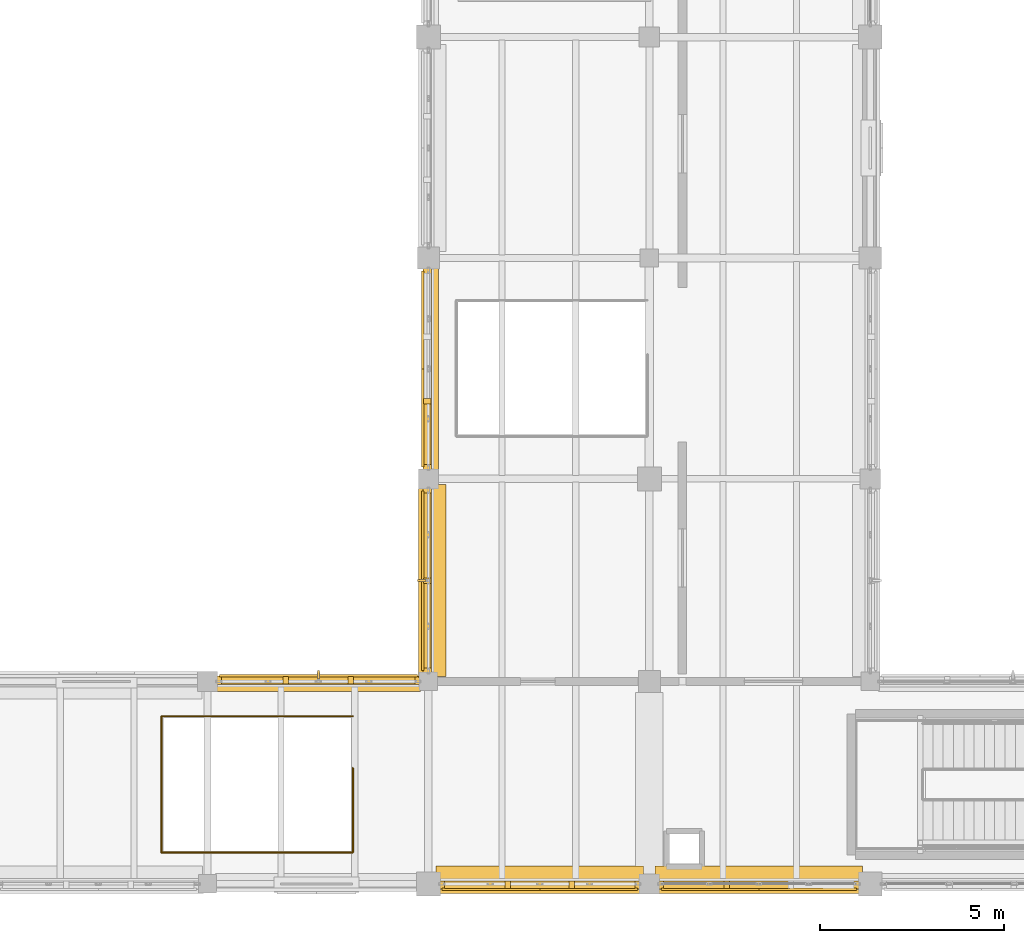
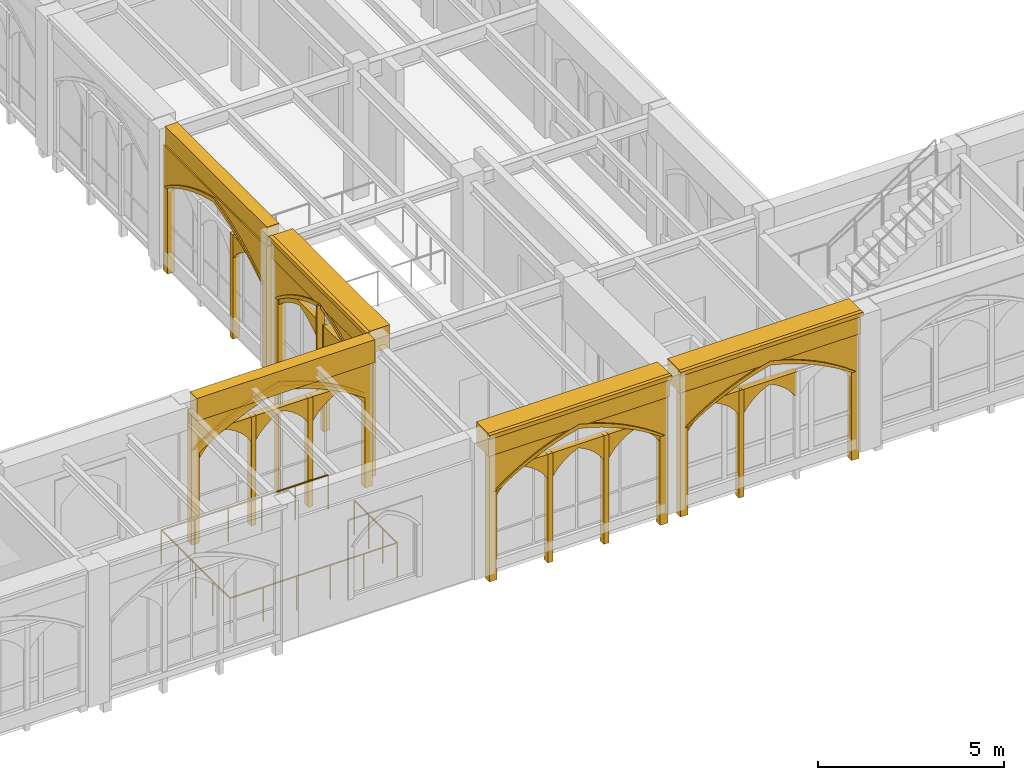
# One storey, part 94 of 127: 36 coverings, 2 shading devices, 1 railing.
"""IFC4 building model written with IfcOpenShell, lengths in metres."""

from ifc_helpers import new_model, si_unit, direction, frame, origin, origin_2d, place, context, subcontext, project, spatial, polyline, rectangle, circle, outline, extrude, material, type_object, element, save


model = new_model("IFC4")

# Units and contexts
model_context = context("Model", 3, precision=1e-05, world=origin(), true_north=direction((0.0, 1.0)))
body_context = subcontext(model_context, "Body", "Model", "MODEL_VIEW")
ifc_project = project(units=[si_unit("LENGTHUNIT", "METRE"), si_unit("AREAUNIT", "SQUARE_METRE"), si_unit("VOLUMEUNIT", "CUBIC_METRE"), si_unit("PLANEANGLEUNIT", "RADIAN"), si_unit("MASSUNIT", "GRAM", prefix="KILO")], contexts=[model_context])

# Site, building, storey
site_placement = place(None, origin())
site = spatial("IfcSite", under=ifc_project, at=site_placement, CompositionType="ELEMENT")
building_placement = place(site_placement, origin())
building = spatial("IfcBuilding", under=site, at=building_placement, Name="Cumevento Cable Car Station", CompositionType="ELEMENT")
storey_placement = place(building_placement, frame((0.0, 0.0, 4.5)))
storey = spatial("IfcBuildingStorey", under=building, at=storey_placement, Name="L02", CompositionType="ELEMENT", Elevation=4.5)

# Railing
ifc_material_1 = material(Name="Painted Galvanised Architectural Steel", Category="steel")
railing_type = type_object("IfcRailingType", Name="Stair Guardrail GR-S115", PredefinedType="GUARDRAIL", material=ifc_material_1)
railing_placement = place(storey_placement, frame((55.949951171875, 7.14990234375, 0.0)))
element("IfcRailing", 1, at=railing_placement, inside=storey, type_object=railing_type, Name="Stairwell Opening Rim Guard ST-07 L02", PredefinedType="GUARDRAIL", context=body_context, shape_type="SweptSolid", body=[
    extrude(circle(Radius=0.02392578125, at=origin_2d()), frame((0.0, 0.0, 1.1259765625), z_axis=(0.0, -1.0, 0.0), x_axis=(1.0, 0.0, 0.0)), (0.0, 0.0, 1.0), 2.2998046875),
    extrude(circle(Radius=0.02392578125, at=origin_2d()), frame((0.0, -2.2998046875, 1.1259765625), z_axis=(-1.0, 0.0, 0.0), x_axis=(0.0, -1.0, 0.0)), (0.0, 0.0, 1.0), 5.199951171875),
    extrude(circle(Radius=0.02392578125, at=origin_2d()), frame((-5.199951171875, -2.2998046875, 1.1259765625), z_axis=(0.0, 1.0, 0.0), x_axis=(-1.0, 0.0, 0.0)), (0.0, 0.0, 1.0), 3.699951171875),
    extrude(circle(Radius=0.02392578125, at=origin_2d()), frame((-5.199951171875, 1.400146484375, 1.1259765625), z_axis=(1.0, 0.0, 0.0), x_axis=(0.0, 1.0, 0.0)), (0.0, 0.0, 1.0), 5.199951171875),
    extrude(circle(Radius=0.02001953125, at=origin_2d()), origin(), (0.0, 0.0, 1.0), 1.101806640625),
    extrude(circle(Radius=0.02001953125, at=origin_2d()), frame((0.0, -0.7666015625, 0.0)), (0.0, 0.0, 1.0), 1.101806640625),
    extrude(circle(Radius=0.02001953125, at=origin_2d()), frame((0.0, -1.533203125, 0.0)), (0.0, 0.0, 1.0), 1.101806640625),
    extrude(circle(Radius=0.02001953125, at=origin_2d()), frame((0.0, -2.2998046875, 0.0)), (0.0, 0.0, 1.0), 1.101806640625),
    extrude(circle(Radius=0.02001953125, at=origin_2d()), frame((-1.0400390625, -2.2998046875, 0.0)), (0.0, 0.0, 1.0), 1.101806640625),
    extrude(circle(Radius=0.02001953125, at=origin_2d()), frame((-2.080078125, -2.2998046875, 0.0)), (0.0, 0.0, 1.0), 1.101806640625),
    extrude(circle(Radius=0.02001953125, at=origin_2d()), frame((-3.119873046875, -2.2998046875, 0.0)), (0.0, 0.0, 1.0), 1.101806640625),
    extrude(circle(Radius=0.02001953125, at=origin_2d()), frame((-4.159912109375, -2.2998046875, 0.0)), (0.0, 0.0, 1.0), 1.101806640625),
    extrude(circle(Radius=0.02001953125, at=origin_2d()), frame((-5.199951171875, -2.2998046875, 0.0)), (0.0, 0.0, 1.0), 1.101806640625),
    extrude(circle(Radius=0.02001953125, at=origin_2d()), frame((-5.199951171875, -1.374755859375, 0.0)), (0.0, 0.0, 1.0), 1.101806640625),
    extrude(circle(Radius=0.02001953125, at=origin_2d()), frame((-5.199951171875, -0.44970703125, 0.0)), (0.0, 0.0, 1.0), 1.101806640625),
    extrude(circle(Radius=0.02001953125, at=origin_2d()), frame((-5.199951171875, 0.47509765625, 0.0)), (0.0, 0.0, 1.0), 1.101806640625),
    extrude(circle(Radius=0.02001953125, at=origin_2d()), frame((-5.199951171875, 1.400146484375, 0.0)), (0.0, 0.0, 1.0), 1.101806640625),
    extrude(circle(Radius=0.02001953125, at=origin_2d()), frame((-4.159912109375, 1.400146484375, 0.0)), (0.0, 0.0, 1.0), 1.101806640625),
    extrude(circle(Radius=0.02001953125, at=origin_2d()), frame((-3.119873046875, 1.400146484375, 0.0)), (0.0, 0.0, 1.0), 1.101806640625),
    extrude(circle(Radius=0.02001953125, at=origin_2d()), frame((-2.080078125, 1.400146484375, 0.0)), (0.0, 0.0, 1.0), 1.101806640625),
    extrude(circle(Radius=0.02001953125, at=origin_2d()), frame((-1.0400390625, 1.400146484375, 0.0)), (0.0, 0.0, 1.0), 1.101806640625),
    extrude(circle(Radius=0.02001953125, at=origin_2d()), frame((0.0, 1.400146484375, 0.0)), (0.0, 0.0, 1.0), 1.101806640625),
])

# Shading devices
ifc_material_2 = material(Name="Anodised Bronze Aluminium AW-6063-T6", Category="aluminium")
shading_device_type = type_object("IfcShadingDeviceType", Name="Bronze Lancet Brise-Soleil BS-01", PredefinedType="JALOUSIE", material=ifc_material_2)
shading_device_1_placement = place(storey_placement, frame((55.012451171875, 9.679931640625, 0.259765625), z_axis=(0.0, 0.0, 1.0), x_axis=(1.0, 0.0, 0.0)))
element("IfcShadingDevice", 2, at=shading_device_1_placement, inside=storey, type_object=shading_device_type, Name="Bronze Lancet Solar Fin #18", PredefinedType="JALOUSIE", context=body_context, shape_type="SweptSolid", body=[
    extrude(rectangle(XDim=0.054931640625, YDim=0.239990234375, at=origin_2d()), origin(), (0.0, 0.0, 1.0), 3.572998046875),
])
shading_device_2_placement = place(storey_placement, frame((57.820068359375, 12.237548828125, 0.35986328125), z_axis=(0.0, 0.0, 1.0), x_axis=(0.0, 1.0, 0.0)))
element("IfcShadingDevice", 3, at=shading_device_2_placement, inside=storey, type_object=shading_device_type, Name="Bronze Lancet Solar Fin #23", PredefinedType="JALOUSIE", context=body_context, shape_type="SweptSolid", body=[
    extrude(rectangle(XDim=0.054931640625, YDim=0.239990234375, at=origin_2d()), origin(), (0.0, 0.0, 1.0), 3.472900390625),
])

# Coverings
ifc_material_3 = material(Name="Gnaisse Facoidal Stone Ashlar 85 MPa", Category="masonry")
covering_type = type_object("IfcCoveringType", Name="Gnaisse Ashlar Cladding CV-CL01", PredefinedType="CLADDING", material=ifc_material_3)
covering_1_placement = place(storey_placement, frame((61.02490234375, 4.14990234375, 3.796875), z_axis=(0.0, 0.0, 1.0), x_axis=(-1.0, 0.0, 0.0)))
element("IfcCovering", 4, at=covering_1_placement, inside=storey, type_object=covering_type, Name="Gothic Stone Spandrel Stringcourse sc:0303", PredefinedType="CLADDING", context=body_context, shape_type="SweptSolid", body=[
    extrude(rectangle(XDim=5.639892578125, YDim=0.659912109375, at=origin_2d()), origin(), (0.0, 0.0, 1.0), 0.7470703125),
])
covering_2_placement = place(storey_placement, frame((61.02490234375, 3.79248046875, 4.4140625), z_axis=(0.0, 0.0, 1.0), x_axis=(-1.0, 0.0, 0.0)))
element("IfcCovering", 5, at=covering_2_placement, inside=storey, type_object=covering_type, Name="Gothic Cornice Dripstone Lip sc:0303", PredefinedType="CLADDING", context=body_context, shape_type="SweptSolid", body=[
    extrude(rectangle(XDim=5.679931640625, YDim=0.114990234375, at=origin_2d()), origin(), (0.0, 0.0, 1.0), 0.1298828125),
])
covering_3_placement = place(storey_placement, frame((66.97509765625, 4.14990234375, 3.796875), z_axis=(0.0, 0.0, 1.0), x_axis=(-1.0, 0.0, 0.0)))
element("IfcCovering", 6, at=covering_3_placement, inside=storey, type_object=covering_type, Name="Gothic Stone Spandrel Stringcourse sc:0304", PredefinedType="CLADDING", context=body_context, shape_type="SweptSolid", body=[
    extrude(rectangle(XDim=5.639892578125, YDim=0.659912109375, at=origin_2d()), origin(), (0.0, 0.0, 1.0), 0.7470703125),
])
covering_4_placement = place(storey_placement, frame((66.97509765625, 3.79248046875, 4.4140625), z_axis=(0.0, 0.0, 1.0), x_axis=(-1.0, 0.0, 0.0)))
element("IfcCovering", 7, at=covering_4_placement, inside=storey, type_object=covering_type, Name="Gothic Cornice Dripstone Lip sc:0304", PredefinedType="CLADDING", context=body_context, shape_type="SweptSolid", body=[
    extrude(rectangle(XDim=5.679931640625, YDim=0.114990234375, at=origin_2d()), origin(), (0.0, 0.0, 1.0), 0.1298828125),
])
covering_5_placement = place(storey_placement, frame((55.012451171875, 9.409912109375, 3.77294921875), z_axis=(0.0, 0.0, 1.0), x_axis=(1.0, 0.0, 0.0)))
element("IfcCovering", 8, at=covering_5_placement, inside=storey, type_object=covering_type, Name="Gothic Stone Spandrel Stringcourse sc:0308", PredefinedType="CLADDING", context=body_context, shape_type="SweptSolid", body=[
    extrude(rectangle(XDim=5.534912109375, YDim=0.3798828125, at=origin_2d()), origin(), (0.0, 0.0, 1.0), 0.7470703125),
])
covering_6_placement = place(storey_placement, frame((58.14990234375, 12.237548828125, 3.77294921875), z_axis=(0.0, 0.0, 1.0), x_axis=(0.0, 1.0, 0.0)))
element("IfcCovering", 9, at=covering_6_placement, inside=storey, type_object=covering_type, Name="Gothic Stone Spandrel Stringcourse sc:0319", PredefinedType="CLADDING", context=body_context, shape_type="SweptSolid", body=[
    extrude(rectangle(XDim=5.215087890625, YDim=0.659912109375, at=origin_2d()), origin(), (0.0, 0.0, 1.0), 0.7470703125),
])
covering_7_placement = place(storey_placement, frame((57.79248046875, 12.237548828125, 4.39013671875), z_axis=(0.0, 0.0, 1.0), x_axis=(0.0, 1.0, 0.0)))
element("IfcCovering", 10, at=covering_7_placement, inside=storey, type_object=covering_type, Name="Gothic Cornice Dripstone Lip sc:0319", PredefinedType="CLADDING", context=body_context, shape_type="SweptSolid", body=[
    extrude(rectangle(XDim=5.2548828125, YDim=0.114990234375, at=origin_2d()), origin(), (0.0, 0.0, 1.0), 0.1298828125),
])
covering_8_placement = place(storey_placement, frame((58.090087890625, 17.987548828125, 3.77294921875), z_axis=(0.0, 0.0, 1.0), x_axis=(0.0, 1.0, 0.0)))
element("IfcCovering", 11, at=covering_8_placement, inside=storey, type_object=covering_type, Name="Gothic Stone Spandrel Stringcourse sc:0320", PredefinedType="CLADDING", context=body_context, shape_type="SweptSolid", body=[
    extrude(rectangle(XDim=5.485107421875, YDim=0.3798828125, at=origin_2d()), origin(), (0.0, 0.0, 1.0), 0.7470703125),
])
placement_1 = place(storey_placement, frame((52.27490234375, 9.5, -0.419921875), z_axis=(0.0, 0.0, 1.0), x_axis=(1.0, 0.0, 0.0)))
element("IfcCovering", 12, at=placement_1, inside=storey, type_object=covering_type, Name="Gothic Ogival Pointed-Arch Stone Spandrel cw_ogival:0026", PredefinedType="CLADDING", context=body_context, shape_type="SweptSolid", body=[
    extrude(outline(polyline([(-0.080078125, 0.0), (-0.080078125, 4.3330078125), (5.554931640625, 4.3330078125), (5.554931640625, 0.0), (5.31494140625, 0.0), (5.31494140625, 2.966796875), (5.0205078125, 3.16650390625), (4.716552734375, 3.3515625), (4.404052734375, 3.521484375), (4.08349609375, 3.67626953125), (3.755859375, 3.814697265625), (3.421630859375, 3.9375), (3.08203125, 4.043701171875), (2.737548828125, 4.133056640625), (2.39306640625, 4.043701171875), (2.053466796875, 3.9375), (1.71923828125, 3.814697265625), (1.3916015625, 3.67626953125), (1.071044921875, 3.521484375), (0.758544921875, 3.3515625), (0.45458984375, 3.16650390625), (0.159912109375, 2.966796875), (0.159912109375, 0.0), (-0.080078125, 0.0)])), frame((0.0, 0.139892578125, 0.0), z_axis=(0.0, -1.0, 0.0), x_axis=(1.0, 0.0, 0.0)), (0.0, 0.0, 1.0), 0.219970703125),
])
covering_10_placement = place(storey_placement, frame((52.27490234375, 9.5, 2.546630859375), z_axis=(0.0, 0.0, 1.0), x_axis=(1.0, 0.0, 0.0)))
element("IfcCovering", 13, at=covering_10_placement, inside=storey, type_object=covering_type, Name="Gothic Pointed Archivolt Hood Moulding cw_ogival:0026", PredefinedType="CLADDING", context=body_context, shape_type="SweptSolid", body=[
    extrude(outline(polyline([(0.159912109375, 0.0), (0.45458984375, 0.19970703125), (0.758544921875, 0.384765625), (1.071044921875, 0.554931640625), (1.3916015625, 0.70947265625), (1.71923828125, 0.84814453125), (2.053466796875, 0.970703125), (2.39306640625, 1.076904296875), (2.737548828125, 1.166259765625), (3.08203125, 1.076904296875), (3.421630859375, 0.970703125), (3.755859375, 0.84814453125), (4.08349609375, 0.70947265625), (4.404052734375, 0.554931640625), (4.716552734375, 0.384765625), (5.0205078125, 0.19970703125), (5.31494140625, 0.0), (5.425048828125, 0.0), (5.1220703125, 0.22265625), (4.807861328125, 0.42919921875), (4.483154296875, 0.619140625), (4.1494140625, 0.7919921875), (3.806884765625, 0.947265625), (3.456787109375, 1.084716796875), (3.10009765625, 1.20361328125), (2.737548828125, 1.3037109375), (2.375, 1.20361328125), (2.018310546875, 1.084716796875), (1.668212890625, 0.947265625), (1.32568359375, 0.7919921875), (0.991943359375, 0.619140625), (0.667236328125, 0.42919921875), (0.35302734375, 0.22265625), (0.050048828125, 0.0), (0.159912109375, 0.0)])), frame((0.0, 0.181884765625, 0.0), z_axis=(0.0, -1.0, 0.0), x_axis=(1.0, 0.0, 0.0)), (0.0, 0.0, 1.0), 0.06689453125),
])
element("IfcCovering", 14, at=placement_1, inside=storey, type_object=covering_type, Name="Gothic Bifora Stone Colonnette cw_ogival:0026 #1", PredefinedType="CLADDING", context=body_context, shape_type="SweptSolid", body=[
    extrude(outline(polyline([(1.7783203125, -0.02001953125), (1.92822265625, -0.02001953125), (1.92822265625, 3.5732421875), (1.7783203125, 3.5732421875), (1.7783203125, -0.02001953125)])), frame((0.0, 0.1279296875, 0.0), z_axis=(0.0, -1.0, 0.0), x_axis=(1.0, 0.0, 0.0)), (0.0, 0.0, 1.0), 0.205078125),
])
element("IfcCovering", 15, at=placement_1, inside=storey, type_object=covering_type, Name="Gothic Bifora Stone Colonnette cw_ogival:0026 #2", PredefinedType="CLADDING", context=body_context, shape_type="SweptSolid", body=[
    extrude(outline(polyline([(3.546630859375, -0.02001953125), (3.69677734375, -0.02001953125), (3.69677734375, 3.5732421875), (3.546630859375, 3.5732421875), (3.546630859375, -0.02001953125)])), frame((0.0, 0.1279296875, 0.0), z_axis=(0.0, -1.0, 0.0), x_axis=(1.0, 0.0, 0.0)), (0.0, 0.0, 1.0), 0.205078125),
])
for number, where, z_axis, x_axis, name in (
    (16, (52.405029296875, 9.5, 2.36669921875), (0.0, 0.0, 1.0), (1.0, 0.0, 0.0), "Gothic Ogival Pointed-Arch Stone Spandrel cw_ogival:0026:sub:0"),
    (17, (54.17333984375, 9.5, 2.36669921875), (0.0, 0.0, 1.0), (1.0, 0.0, 0.0), "Gothic Ogival Pointed-Arch Stone Spandrel cw_ogival:0026:sub:1"),
    (18, (55.941650390625, 9.5, 2.36669921875), (0.0, 0.0, 1.0), (1.0, 0.0, 0.0), "Gothic Ogival Pointed-Arch Stone Spandrel cw_ogival:0026:sub:2"),
):
    element("IfcCovering", number, at=place(storey_placement, frame(where, z_axis=z_axis, x_axis=x_axis)), inside=storey, type_object=covering_type, Name=name, PredefinedType="CLADDING", context=body_context, shape_type="SweptSolid", body=[
        extrude(outline(polyline([(-0.02001953125, 0.0), (-0.02001953125, 0.78662109375), (1.6982421875, 0.78662109375), (1.6982421875, 0.0), (1.638427734375, 0.0), (1.537353515625, 0.14453125), (1.421630859375, 0.277587890625), (1.29248046875, 0.397705078125), (1.151123046875, 0.503173828125), (0.99951171875, 0.59326171875), (0.839111328125, 0.66650390625), (0.6787109375, 0.59326171875), (0.527099609375, 0.503173828125), (0.3857421875, 0.397705078125), (0.256591796875, 0.277587890625), (0.140869140625, 0.14453125), (0.0400390625, 0.0), (-0.02001953125, 0.0)])), frame((0.0, 0.1240234375, 0.0), z_axis=(0.0, -1.0, 0.0), x_axis=(1.0, 0.0, 0.0)), (0.0, 0.0, 1.0), 0.199951171875),
    ])
placement_2 = place(storey_placement, frame((63.72509765625, 4.0, -0.3701171875), z_axis=(0.0, 0.0, 1.0), x_axis=(-1.0, 0.0, 0.0)))
element("IfcCovering", 19, at=placement_2, inside=storey, type_object=covering_type, Name="Gothic Ogival Pointed-Arch Stone Spandrel cw_ogival:0027", PredefinedType="CLADDING", context=body_context, shape_type="SweptSolid", body=[
    extrude(outline(polyline([(-0.080078125, 0.0), (-0.080078125, 4.306884765625), (5.47998046875, 4.306884765625), (5.47998046875, 0.0), (5.239990234375, 0.0), (5.239990234375, 2.9501953125), (4.949951171875, 3.148193359375), (4.650634765625, 3.331787109375), (4.3427734375, 3.50048828125), (4.02685546875, 3.65380859375), (3.703857421875, 3.79150390625), (3.37451171875, 3.9130859375), (3.03955078125, 4.018310546875), (2.699951171875, 4.107177734375), (2.3603515625, 4.018310546875), (2.025390625, 3.9130859375), (1.696044921875, 3.79150390625), (1.373046875, 3.65380859375), (1.05712890625, 3.50048828125), (0.749267578125, 3.331787109375), (0.449951171875, 3.148193359375), (0.159912109375, 2.9501953125), (0.159912109375, 0.0), (-0.080078125, 0.0)])), frame((0.0, 0.139892578125, 0.0), z_axis=(0.0, -1.0, 0.0), x_axis=(1.0, 0.0, 0.0)), (0.0, 0.0, 1.0), 0.219970703125),
])
covering_14_placement = place(storey_placement, frame((63.72509765625, 4.0, 2.580078125), z_axis=(0.0, 0.0, 1.0), x_axis=(-1.0, 0.0, 0.0)))
element("IfcCovering", 20, at=covering_14_placement, inside=storey, type_object=covering_type, Name="Gothic Pointed Archivolt Hood Moulding cw_ogival:0027", PredefinedType="CLADDING", context=body_context, shape_type="SweptSolid", body=[
    extrude(outline(polyline([(0.159912109375, 0.0), (0.449951171875, 0.197998046875), (0.749267578125, 0.381591796875), (1.05712890625, 0.55029296875), (1.373046875, 0.70361328125), (1.696044921875, 0.84130859375), (2.025390625, 0.962890625), (2.3603515625, 1.068115234375), (2.699951171875, 1.156982421875), (3.03955078125, 1.068115234375), (3.37451171875, 0.962890625), (3.703857421875, 0.84130859375), (4.02685546875, 0.70361328125), (4.3427734375, 0.55029296875), (4.650634765625, 0.381591796875), (4.949951171875, 0.197998046875), (5.239990234375, 0.0), (5.35009765625, 0.0), (5.051513671875, 0.220947265625), (4.741943359375, 0.426025390625), (4.422119140625, 0.614501953125), (4.0927734375, 0.7861328125), (3.755126953125, 0.9404296875), (3.40966796875, 1.07666015625), (3.0576171875, 1.19482421875), (2.699951171875, 1.29443359375), (2.34228515625, 1.19482421875), (1.990234375, 1.07666015625), (1.644775390625, 0.9404296875), (1.30712890625, 0.7861328125), (0.977783203125, 0.614501953125), (0.657958984375, 0.426025390625), (0.348388671875, 0.220947265625), (0.050048828125, 0.0), (0.159912109375, 0.0)])), frame((0.0, 0.181884765625, 0.0), z_axis=(0.0, -1.0, 0.0), x_axis=(1.0, 0.0, 0.0)), (0.0, 0.0, 1.0), 0.06689453125),
])
element("IfcCovering", 21, at=placement_2, inside=storey, type_object=covering_type, Name="Gothic Bifora Stone Colonnette cw_ogival:0027 #1", PredefinedType="CLADDING", context=body_context, shape_type="SweptSolid", body=[
    extrude(outline(polyline([(1.75341796875, -0.02001953125), (1.9033203125, -0.02001953125), (1.9033203125, 3.5517578125), (1.75341796875, 3.5517578125), (1.75341796875, -0.02001953125)])), frame((0.0, 0.1279296875, 0.0), z_axis=(0.0, -1.0, 0.0), x_axis=(1.0, 0.0, 0.0)), (0.0, 0.0, 1.0), 0.205078125),
])
element("IfcCovering", 22, at=placement_2, inside=storey, type_object=covering_type, Name="Gothic Bifora Stone Colonnette cw_ogival:0027 #2", PredefinedType="CLADDING", context=body_context, shape_type="SweptSolid", body=[
    extrude(outline(polyline([(3.49658203125, -0.02001953125), (3.646728515625, -0.02001953125), (3.646728515625, 3.5517578125), (3.49658203125, 3.5517578125), (3.49658203125, -0.02001953125)])), frame((0.0, 0.1279296875, 0.0), z_axis=(0.0, -1.0, 0.0), x_axis=(1.0, 0.0, 0.0)), (0.0, 0.0, 1.0), 0.205078125),
])
for number, where, z_axis, x_axis, name in (
    (23, (63.594970703125, 4.0, 2.400146484375), (0.0, 0.0, 1.0), (-1.0, 0.0, 0.0), "Gothic Ogival Pointed-Arch Stone Spandrel cw_ogival:0027:sub:0"),
    (24, (61.8515625, 4.0, 2.400146484375), (0.0, 0.0, 1.0), (-1.0, 0.0, 0.0), "Gothic Ogival Pointed-Arch Stone Spandrel cw_ogival:0027:sub:1"),
    (25, (60.1083984375, 4.0, 2.400146484375), (0.0, 0.0, 1.0), (-1.0, 0.0, 0.0), "Gothic Ogival Pointed-Arch Stone Spandrel cw_ogival:0027:sub:2"),
):
    element("IfcCovering", number, at=place(storey_placement, frame(where, z_axis=z_axis, x_axis=x_axis)), inside=storey, type_object=covering_type, Name=name, PredefinedType="CLADDING", context=body_context, shape_type="SweptSolid", body=[
        extrude(outline(polyline([(-0.02001953125, 0.0), (-0.02001953125, 0.781494140625), (1.67333984375, 0.781494140625), (1.67333984375, 0.0), (1.61328125, 0.0), (1.514404296875, 0.1435546875), (1.40087890625, 0.275390625), (1.273681640625, 0.39453125), (1.134521484375, 0.49951171875), (0.98486328125, 0.5888671875), (0.82666015625, 0.66162109375), (0.66845703125, 0.5888671875), (0.518798828125, 0.49951171875), (0.379638671875, 0.39453125), (0.25244140625, 0.275390625), (0.138916015625, 0.1435546875), (0.0400390625, 0.0), (-0.02001953125, 0.0)])), frame((0.0, 0.1240234375, 0.0), z_axis=(0.0, -1.0, 0.0), x_axis=(1.0, 0.0, 0.0)), (0.0, 0.0, 1.0), 0.199951171875),
    ])
placement_3 = place(storey_placement, frame((69.675048828125, 4.0, -0.320068359375), z_axis=(0.0, 0.0, 1.0), x_axis=(-1.0, 0.0, 0.0)))
element("IfcCovering", 26, at=placement_3, inside=storey, type_object=covering_type, Name="Gothic Ogival Pointed-Arch Stone Spandrel cw_ogival:0028", PredefinedType="CLADDING", context=body_context, shape_type="SweptSolid", body=[
    extrude(outline(polyline([(-0.080078125, 0.0), (-0.080078125, 4.257080078125), (5.47998046875, 4.257080078125), (5.47998046875, 0.0), (5.239990234375, 0.0), (5.239990234375, 2.918212890625), (4.94921875, 3.11328125), (4.6494140625, 3.294189453125), (4.341064453125, 3.460205078125), (4.025390625, 3.611083984375), (3.702392578125, 3.74658203125), (3.373291015625, 3.8662109375), (3.0390625, 3.969970703125), (2.699951171875, 4.056884765625), (2.36083984375, 3.969970703125), (2.026611328125, 3.8662109375), (1.697509765625, 3.74658203125), (1.37451171875, 3.611083984375), (1.058837890625, 3.460205078125), (0.75048828125, 3.294189453125), (0.45068359375, 3.11328125), (0.159912109375, 2.918212890625), (0.159912109375, 0.0), (-0.080078125, 0.0)])), frame((0.0, 0.139892578125, 0.0), z_axis=(0.0, -1.0, 0.0), x_axis=(1.0, 0.0, 0.0)), (0.0, 0.0, 1.0), 0.219970703125),
])
covering_18_placement = place(storey_placement, frame((69.675048828125, 4.0, 2.59814453125), z_axis=(0.0, 0.0, 1.0), x_axis=(-1.0, 0.0, 0.0)))
element("IfcCovering", 27, at=covering_18_placement, inside=storey, type_object=covering_type, Name="Gothic Pointed Archivolt Hood Moulding cw_ogival:0028", PredefinedType="CLADDING", context=body_context, shape_type="SweptSolid", body=[
    extrude(outline(polyline([(0.159912109375, 0.0), (0.45068359375, 0.195068359375), (0.75048828125, 0.3759765625), (1.058837890625, 0.5419921875), (1.37451171875, 0.69287109375), (1.697509765625, 0.828369140625), (2.026611328125, 0.947998046875), (2.36083984375, 1.0517578125), (2.699951171875, 1.138916015625), (3.0390625, 1.0517578125), (3.373291015625, 0.947998046875), (3.702392578125, 0.828369140625), (4.025390625, 0.69287109375), (4.341064453125, 0.5419921875), (4.6494140625, 0.3759765625), (4.94921875, 0.195068359375), (5.239990234375, 0.0), (5.35009765625, 0.0), (5.050537109375, 0.218017578125), (4.740478515625, 0.420166015625), (4.42041015625, 0.606201171875), (4.091064453125, 0.775390625), (3.75341796875, 0.927490234375), (3.408447265625, 1.061767578125), (3.056884765625, 1.17822265625), (2.699951171875, 1.2763671875), (2.343017578125, 1.17822265625), (1.991455078125, 1.061767578125), (1.646484375, 0.927490234375), (1.308837890625, 0.775390625), (0.9794921875, 0.606201171875), (0.659423828125, 0.420166015625), (0.349365234375, 0.218017578125), (0.050048828125, 0.0), (0.159912109375, 0.0)])), frame((0.0, 0.181884765625, 0.0), z_axis=(0.0, -1.0, 0.0), x_axis=(1.0, 0.0, 0.0)), (0.0, 0.0, 1.0), 0.06689453125),
])
element("IfcCovering", 28, at=placement_3, inside=storey, type_object=covering_type, Name="Gothic Bifora Stone Colonnette cw_ogival:0028 #2", PredefinedType="CLADDING", context=body_context, shape_type="SweptSolid", body=[
    extrude(outline(polyline([(3.49658203125, -0.02001953125), (3.646728515625, -0.02001953125), (3.646728515625, 3.51025390625), (3.49658203125, 3.51025390625), (3.49658203125, -0.02001953125)])), frame((0.0, 0.1279296875, 0.0), z_axis=(0.0, -1.0, 0.0), x_axis=(1.0, 0.0, 0.0)), (0.0, 0.0, 1.0), 0.205078125),
])
for number, where, z_axis, x_axis, name in (
    (29, (67.8017578125, 4.0, 2.418212890625), (0.0, 0.0, 1.0), (-1.0, 0.0, 0.0), "Gothic Ogival Pointed-Arch Stone Spandrel cw_ogival:0028:sub:1"),
    (30, (66.058349609375, 4.0, 2.418212890625), (0.0, 0.0, 1.0), (-1.0, 0.0, 0.0), "Gothic Ogival Pointed-Arch Stone Spandrel cw_ogival:0028:sub:2"),
):
    element("IfcCovering", number, at=place(storey_placement, frame(where, z_axis=z_axis, x_axis=x_axis)), inside=storey, type_object=covering_type, Name=name, PredefinedType="CLADDING", context=body_context, shape_type="SweptSolid", body=[
        extrude(outline(polyline([(-0.02001953125, 0.0), (-0.02001953125, 0.772216796875), (1.67333984375, 0.772216796875), (1.67333984375, 0.0), (1.61328125, 0.0), (1.513671875, 0.1416015625), (1.399658203125, 0.271728515625), (1.2724609375, 0.38916015625), (1.13330078125, 0.492431640625), (0.984375, 0.58056640625), (0.82666015625, 0.652099609375), (0.6689453125, 0.58056640625), (0.52001953125, 0.492431640625), (0.380859375, 0.38916015625), (0.253662109375, 0.271728515625), (0.1396484375, 0.1416015625), (0.0400390625, 0.0), (-0.02001953125, 0.0)])), frame((0.0, 0.1240234375, 0.0), z_axis=(0.0, -1.0, 0.0), x_axis=(1.0, 0.0, 0.0)), (0.0, 0.0, 1.0), 0.199951171875),
    ])
placement_4 = place(storey_placement, frame((58.0, 9.75, -0.320068359375), z_axis=(0.0, 0.0, 1.0), x_axis=(0.0, 1.0, 0.0)))
element("IfcCovering", 31, at=placement_4, inside=storey, type_object=covering_type, Name="Gothic Ogival Pointed-Arch Stone Spandrel cw_ogival:0036", PredefinedType="CLADDING", context=body_context, shape_type="SweptSolid", body=[
    extrude(outline(polyline([(-0.080078125, 0.0), (-0.080078125, 4.23291015625), (5.054931640625, 4.23291015625), (5.054931640625, 0.0), (4.81494140625, 0.0), (4.81494140625, 2.902587890625), (4.552734375, 3.095703125), (4.280517578125, 3.27490234375), (3.99951171875, 3.439208984375), (3.710205078125, 3.589111328125), (3.413818359375, 3.72412109375), (3.110595703125, 3.843017578125), (2.801513671875, 3.9462890625), (2.487548828125, 4.033203125), (2.173583984375, 3.9462890625), (1.864501953125, 3.843017578125), (1.561279296875, 3.72412109375), (1.264892578125, 3.589111328125), (0.9755859375, 3.439208984375), (0.694580078125, 3.27490234375), (0.42236328125, 3.095703125), (0.159912109375, 2.902587890625), (0.159912109375, 0.0), (-0.080078125, 0.0)])), frame((0.0, 0.139892578125, 0.0), z_axis=(0.0, -1.0, 0.0), x_axis=(1.0, 0.0, 0.0)), (0.0, 0.0, 1.0), 0.219970703125),
])
covering_21_placement = place(storey_placement, frame((58.0, 9.75, 2.582763671875), z_axis=(0.0, 0.0, 1.0), x_axis=(0.0, 1.0, 0.0)))
element("IfcCovering", 32, at=covering_21_placement, inside=storey, type_object=covering_type, Name="Gothic Pointed Archivolt Hood Moulding cw_ogival:0036", PredefinedType="CLADDING", context=body_context, shape_type="SweptSolid", body=[
    extrude(outline(polyline([(0.159912109375, 0.0), (0.42236328125, 0.19287109375), (0.694580078125, 0.3720703125), (0.9755859375, 0.53662109375), (1.264892578125, 0.6865234375), (1.561279296875, 0.8212890625), (1.864501953125, 0.940185546875), (2.173583984375, 1.04345703125), (2.487548828125, 1.13037109375), (2.801513671875, 1.04345703125), (3.110595703125, 0.940185546875), (3.413818359375, 0.8212890625), (3.710205078125, 0.6865234375), (3.99951171875, 0.53662109375), (4.280517578125, 0.3720703125), (4.552734375, 0.19287109375), (4.81494140625, 0.0), (4.925048828125, 0.0), (4.654296875, 0.2158203125), (4.3720703125, 0.416259765625), (4.0791015625, 0.600830078125), (3.776611328125, 0.768798828125), (3.465087890625, 0.920166015625), (3.145751953125, 1.053955078125), (2.819580078125, 1.169921875), (2.487548828125, 1.267822265625), (2.155517578125, 1.169921875), (1.829345703125, 1.053955078125), (1.510009765625, 0.920166015625), (1.198486328125, 0.768798828125), (0.89599609375, 0.600830078125), (0.60302734375, 0.416259765625), (0.32080078125, 0.2158203125), (0.050048828125, 0.0), (0.159912109375, 0.0)])), frame((0.0, 0.181884765625, 0.0), z_axis=(0.0, -1.0, 0.0), x_axis=(1.0, 0.0, 0.0)), (0.0, 0.0, 1.0), 0.06689453125),
])
element("IfcCovering", 33, at=placement_4, inside=storey, type_object=covering_type, Name="Gothic Bifora Stone Colonnette cw_ogival:0036 #1", PredefinedType="CLADDING", context=body_context, shape_type="SweptSolid", body=[
    extrude(outline(polyline([(2.41259765625, -0.02001953125), (2.5625, -0.02001953125), (2.5625, 3.490478515625), (2.41259765625, 3.490478515625), (2.41259765625, -0.02001953125)])), frame((0.0, 0.1279296875, 0.0), z_axis=(0.0, -1.0, 0.0), x_axis=(1.0, 0.0, 0.0)), (0.0, 0.0, 1.0), 0.205078125),
])
for number, where, z_axis, x_axis, name in (
    (34, (58.0, 9.8798828125, 2.402587890625), (0.0, 0.0, 1.0), (0.0, 1.0, 0.0), "Gothic Ogival Pointed-Arch Stone Spandrel cw_ogival:0036:sub:0"),
    (35, (58.0, 12.282470703125, 2.402587890625), (0.0, 0.0, 1.0), (0.0, 1.0, 0.0), "Gothic Ogival Pointed-Arch Stone Spandrel cw_ogival:0036:sub:1"),
):
    element("IfcCovering", number, at=place(storey_placement, frame(where, z_axis=z_axis, x_axis=x_axis)), inside=storey, type_object=covering_type, Name=name, PredefinedType="CLADDING", context=body_context, shape_type="SweptSolid", body=[
        extrude(outline(polyline([(-0.02001953125, 0.0), (-0.02001953125, 0.767822265625), (2.33251953125, 0.767822265625), (2.33251953125, 0.0), (2.2724609375, 0.0), (2.1103515625, 0.144287109375), (1.93701171875, 0.275146484375), (1.753662109375, 0.391845703125), (1.561767578125, 0.4931640625), (1.362060546875, 0.57861328125), (1.15625, 0.647705078125), (0.950439453125, 0.57861328125), (0.750732421875, 0.4931640625), (0.558837890625, 0.391845703125), (0.37548828125, 0.275146484375), (0.2021484375, 0.144287109375), (0.0400390625, 0.0), (-0.02001953125, 0.0)])), frame((0.0, 0.1240234375, 0.0), z_axis=(0.0, -1.0, 0.0), x_axis=(1.0, 0.0, 0.0)), (0.0, 0.0, 1.0), 0.199951171875),
    ])
placement_5 = place(storey_placement, frame((58.0, 15.27490234375, -0.219970703125), z_axis=(0.0, 0.0, 1.0), x_axis=(0.0, 1.0, 0.0)))
element("IfcCovering", 36, at=placement_5, inside=storey, type_object=covering_type, Name="Gothic Ogival Pointed-Arch Stone Spandrel cw_ogival:0038", PredefinedType="CLADDING", context=body_context, shape_type="SweptSolid", body=[
    extrude(outline(polyline([(-0.080078125, 0.0), (-0.080078125, 4.133056640625), (5.5048828125, 4.133056640625), (5.5048828125, 0.0), (5.264892578125, 0.0), (5.264892578125, 2.838623046875), (4.970703125, 3.0263671875), (4.66796875, 3.200439453125), (4.357421875, 3.360107421875), (4.039794921875, 3.505126953125), (3.7158203125, 3.635009765625), (3.38623046875, 3.75), (3.051513671875, 3.849365234375), (2.71240234375, 3.932861328125), (2.37353515625, 3.849365234375), (2.038818359375, 3.75), (1.709228515625, 3.635009765625), (1.38525390625, 3.505126953125), (1.067626953125, 3.360107421875), (0.757080078125, 3.200439453125), (0.454345703125, 3.0263671875), (0.159912109375, 2.838623046875), (0.159912109375, 0.0), (-0.080078125, 0.0)])), frame((0.0, 0.139892578125, 0.0), z_axis=(0.0, -1.0, 0.0), x_axis=(1.0, 0.0, 0.0)), (0.0, 0.0, 1.0), 0.219970703125),
])
covering_24_placement = place(storey_placement, frame((58.0, 15.27490234375, 2.61865234375), z_axis=(0.0, 0.0, 1.0), x_axis=(0.0, 1.0, 0.0)))
element("IfcCovering", 37, at=covering_24_placement, inside=storey, type_object=covering_type, Name="Gothic Pointed Archivolt Hood Moulding cw_ogival:0038", PredefinedType="CLADDING", context=body_context, shape_type="SweptSolid", body=[
    extrude(outline(polyline([(0.159912109375, 0.0), (0.454345703125, 0.187744140625), (0.757080078125, 0.36181640625), (1.067626953125, 0.521484375), (1.38525390625, 0.66650390625), (1.709228515625, 0.79638671875), (2.038818359375, 0.911376953125), (2.37353515625, 1.0107421875), (2.71240234375, 1.09423828125), (3.051513671875, 1.0107421875), (3.38623046875, 0.911376953125), (3.7158203125, 0.79638671875), (4.039794921875, 0.66650390625), (4.357421875, 0.521484375), (4.66796875, 0.36181640625), (4.970703125, 0.187744140625), (5.264892578125, 0.0), (5.375, 0.0), (5.072021484375, 0.210693359375), (4.7587890625, 0.40625), (4.4365234375, 0.585693359375), (4.10546875, 0.7490234375), (3.7666015625, 0.8955078125), (3.4208984375, 1.025146484375), (3.0693359375, 1.13720703125), (2.71240234375, 1.231689453125), (2.355712890625, 1.13720703125), (2.004150390625, 1.025146484375), (1.658447265625, 0.8955078125), (1.319580078125, 0.7490234375), (0.988525390625, 0.585693359375), (0.666259765625, 0.40625), (0.35302734375, 0.210693359375), (0.050048828125, 0.0), (0.159912109375, 0.0)])), frame((0.0, 0.181884765625, 0.0), z_axis=(0.0, -1.0, 0.0), x_axis=(1.0, 0.0, 0.0)), (0.0, 0.0, 1.0), 0.06689453125),
])
element("IfcCovering", 38, at=placement_5, inside=storey, type_object=covering_type, Name="Gothic Bifora Stone Colonnette cw_ogival:0038 #1", PredefinedType="CLADDING", context=body_context, shape_type="SweptSolid", body=[
    extrude(outline(polyline([(1.76171875, -0.02001953125), (1.91162109375, -0.02001953125), (1.91162109375, 3.40771484375), (1.76171875, 3.40771484375), (1.76171875, -0.02001953125)])), frame((0.0, 0.1279296875, 0.0), z_axis=(0.0, -1.0, 0.0), x_axis=(1.0, 0.0, 0.0)), (0.0, 0.0, 1.0), 0.205078125),
])
covering_26_placement = place(storey_placement, frame((58.0, 15.405029296875, 2.438720703125), z_axis=(0.0, 0.0, 1.0), x_axis=(0.0, 1.0, 0.0)))
element("IfcCovering", 39, at=covering_26_placement, inside=storey, type_object=covering_type, Name="Gothic Ogival Pointed-Arch Stone Spandrel cw_ogival:0038:sub:0", PredefinedType="CLADDING", context=body_context, shape_type="SweptSolid", body=[
    extrude(outline(polyline([(-0.02001953125, 0.0), (-0.02001953125, 0.7490234375), (1.681640625, 0.7490234375), (1.681640625, 0.0), (1.62158203125, 0.0), (1.519287109375, 0.136962890625), (1.4033203125, 0.262939453125), (1.275146484375, 0.3759765625), (1.135986328125, 0.4755859375), (0.9873046875, 0.56005859375), (0.830810546875, 0.62890625), (0.67431640625, 0.56005859375), (0.525634765625, 0.4755859375), (0.386474609375, 0.3759765625), (0.25830078125, 0.262939453125), (0.142333984375, 0.136962890625), (0.0400390625, 0.0), (-0.02001953125, 0.0)])), frame((0.0, 0.1240234375, 0.0), z_axis=(0.0, -1.0, 0.0), x_axis=(1.0, 0.0, 0.0)), (0.0, 0.0, 1.0), 0.199951171875),
])

save(model, "model.ifc")
